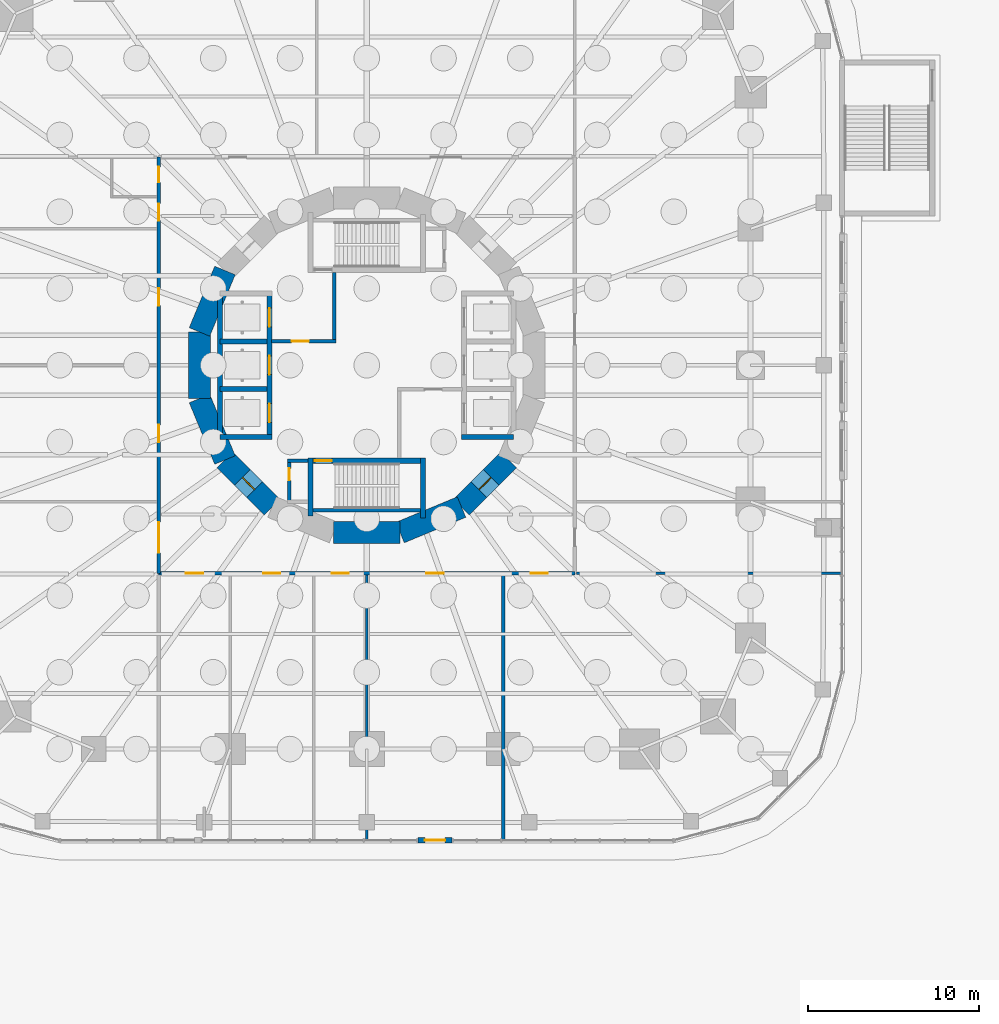
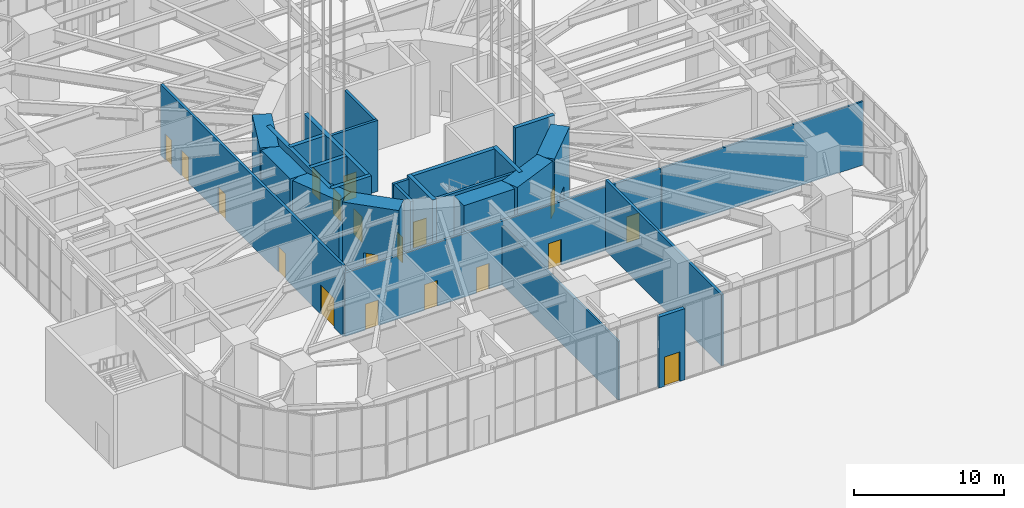
# One storey, part 26 of 43: 27 walls, 19 doors, 19 openings.
"""IFC4 building model written with IfcOpenShell, lengths in metres."""

from ifc_helpers import new_model, si_unit, direction, frame, frame_2d, origin, place, context, subcontext, project, spatial, rectangle, extrude, material, layer, layer_set, type_object, element, fill, save


model = new_model("IFC4")

# Units and contexts
model_context = context("Model", 3, precision=1e-05, world=origin(), true_north=direction((0.0, 1.0)))
body_context = subcontext(model_context, "Body", "Model", "MODEL_VIEW")
ifc_project = project(units=[si_unit("LENGTHUNIT", "METRE"), si_unit("AREAUNIT", "SQUARE_METRE"), si_unit("VOLUMEUNIT", "CUBIC_METRE"), si_unit("PLANEANGLEUNIT", "RADIAN"), si_unit("MASSUNIT", "GRAM", prefix="KILO")], contexts=[model_context])

# Site, building, storey
site_placement = place(None, origin())
site = spatial("IfcSite", under=ifc_project, at=site_placement, CompositionType="ELEMENT")
building_placement = place(site_placement, origin())
building = spatial("IfcBuilding", under=site, at=building_placement, Name="Nakasero Lantern House", CompositionType="ELEMENT")
storey_placement = place(building_placement, origin())
storey = spatial("IfcBuildingStorey", under=building, at=storey_placement, Name="L00", CompositionType="ELEMENT", Elevation=0.0)

# Wall, openings, doors
ifc_material_1 = material(Name="Concrete C50/60", Category="concrete")
ifc_layer_1 = layer(ifc_material_1, 0.300048828125)
ifc_layer_set_1 = layer_set([ifc_layer_1], Name="Core inner wall 300")
wall_type_1 = type_object("IfcWallType", Name="Core inner wall 300", PredefinedType="SHEAR", material=ifc_layer_set_1)
wall_1_placement = place(storey_placement, frame((-5.699951171875, -4.199951171875, -0.25), z_axis=(0.0, 0.0, 1.0), x_axis=(0.0, 1.0, 0.0)))
wall_1 = element("IfcWall", 1, at=wall_1_placement, inside=storey, type_object=wall_type_1, Name="Core inner wall L00 LW", PredefinedType="SHEAR", context=body_context, shape_type="SweptSolid", body=[
    extrude(rectangle(XDim=8.39990234375, YDim=0.300048828125, at=frame_2d((4.199951171875, 0.0))), origin(), (0.0, 0.0, 1.0), 6.25),
])
opening_1_placement = place(wall_1_placement, frame((0.85009765625, 0.0, 0.25)))
opening_1 = element("IfcOpeningElement", 2, at=opening_1_placement, cuts=wall_1, Name="Opening LD", PredefinedType="OPENING", context=body_context, shape_type="SweptSolid", body=[
    extrude(rectangle(XDim=1.10009765625, YDim=2.10009765625, at=frame_2d((0.550048828125, 1.050048828125))), frame((0.0, 0.169921875, 0.0), z_axis=(0.0, -1.0, 0.0), x_axis=(1.0, 0.0, 0.0)), (0.0, 0.0, 1.0), 0.340087890625),
])
opening_2_placement = place(wall_1_placement, frame((3.64990234375, 0.0, 0.25)))
opening_2 = element("IfcOpeningElement", 3, at=opening_2_placement, cuts=wall_1, Name="Opening LD", PredefinedType="OPENING", context=body_context, shape_type="SweptSolid", body=[
    extrude(rectangle(XDim=1.10009765625, YDim=2.10009765625, at=frame_2d((0.550048828125, 1.050048828125))), frame((0.0, 0.169921875, 0.0), z_axis=(0.0, -1.0, 0.0), x_axis=(1.0, 0.0, 0.0)), (0.0, 0.0, 1.0), 0.340087890625),
])
opening_3_placement = place(wall_1_placement, frame((6.449951171875, 0.0, 0.25)))
opening_3 = element("IfcOpeningElement", 4, at=opening_3_placement, cuts=wall_1, Name="Opening LD", PredefinedType="OPENING", context=body_context, shape_type="SweptSolid", body=[
    extrude(rectangle(XDim=1.10009765625, YDim=2.10009765625, at=frame_2d((0.550048828125, 1.050048828125))), frame((0.0, 0.169921875, 0.0), z_axis=(0.0, -1.0, 0.0), x_axis=(1.0, 0.0, 0.0)), (0.0, 0.0, 1.0), 0.340087890625),
])
ifc_material_2 = material(Name="Steel S355", Category="steel")
door_type_1 = type_object("IfcDoorType", Name="Lift landing door E120 1100", OperationType="SLIDING_TO_LEFT", PredefinedType="DOOR", material=ifc_material_2)
door_1_placement = place(opening_1_placement, origin())
door_1 = element("IfcDoor", 5, at=door_1_placement, inside=storey, type_object=door_type_1, Name="Lift landing door LW1", OperationType="SLIDING_TO_LEFT", OverallHeight=2.10009765625, OverallWidth=1.10009765625, PredefinedType="DOOR", context=body_context, shape_type="SweptSolid", body=[
    extrude(rectangle(XDim=1.10009765625, YDim=2.10009765625, at=frame_2d((0.550048828125, 1.050048828125))), frame((0.0, 0.02490234375, 0.0), z_axis=(0.0, -1.0, 0.0), x_axis=(1.0, 0.0, 0.0)), (0.0, 0.0, 1.0), 0.050048828125),
])
fill(opening_1, door_1)
door_2_placement = place(opening_2_placement, origin())
door_2 = element("IfcDoor", 6, at=door_2_placement, inside=storey, type_object=door_type_1, Name="Lift landing door LW2", OperationType="SLIDING_TO_LEFT", OverallHeight=2.10009765625, OverallWidth=1.10009765625, PredefinedType="DOOR", context=body_context, shape_type="SweptSolid", body=[
    extrude(rectangle(XDim=1.10009765625, YDim=2.10009765625, at=frame_2d((0.550048828125, 1.050048828125))), frame((0.0, 0.02490234375, 0.0), z_axis=(0.0, -1.0, 0.0), x_axis=(1.0, 0.0, 0.0)), (0.0, 0.0, 1.0), 0.050048828125),
])
fill(opening_2, door_2)
door_3_placement = place(opening_3_placement, origin())
door_3 = element("IfcDoor", 7, at=door_3_placement, inside=storey, type_object=door_type_1, Name="Lift landing door LW3", OperationType="SLIDING_TO_LEFT", OverallHeight=2.10009765625, OverallWidth=1.10009765625, PredefinedType="DOOR", context=body_context, shape_type="SweptSolid", body=[
    extrude(rectangle(XDim=1.10009765625, YDim=2.10009765625, at=frame_2d((0.550048828125, 1.050048828125))), frame((0.0, 0.02490234375, 0.0), z_axis=(0.0, -1.0, 0.0), x_axis=(1.0, 0.0, 0.0)), (0.0, 0.0, 1.0), 0.050048828125),
])
fill(opening_3, door_3)

# Walls
for number, where, z_axis, x_axis, name in (
    (8, (-8.60009765625, -4.199951171875, -0.25), (0.0, 0.0, 1.0), (1.0, 0.0, 0.0), "Core inner wall L00 LWS"),
    (9, (5.550048828125, -4.199951171875, -0.25), (0.0, 0.0, 1.0), (1.0, 0.0, 0.0), "Core inner wall L00 LES"),
):
    element("IfcWall", number, at=place(storey_placement, frame(where, z_axis=z_axis, x_axis=x_axis)), inside=storey, type_object=wall_type_1, Name=name, PredefinedType="SHEAR", context=body_context, shape_type="SweptSolid", body=[
        extrude(rectangle(XDim=3.050048828125, YDim=0.300048828125, at=frame_2d((1.52490234375, 0.0))), origin(), (0.0, 0.0, 1.0), 6.25),
    ])
wall_2_placement = place(storey_placement, frame((-8.60009765625, -4.199951171875, -0.25), z_axis=(0.0, 0.0, 1.0), x_axis=(0.0, 1.0, 0.0)))
element("IfcWall", 10, at=wall_2_placement, inside=storey, type_object=wall_type_1, Name="Core inner wall L00 LWB", PredefinedType="SHEAR", context=body_context, shape_type="SweptSolid", body=[
    extrude(rectangle(XDim=8.39990234375, YDim=0.300048828125, at=frame_2d((4.199951171875, 0.0))), origin(), (0.0, 0.0, 1.0), 6.25),
])
for number, where, z_axis, x_axis, name in (
    (11, (-8.60009765625, -1.39990234375, -0.25), (0.0, 0.0, 1.0), (1.0, 0.0, 0.0), "Core inner wall L00 LW1"),
    (12, (-8.60009765625, 1.39990234375, -0.25), (0.0, 0.0, 1.0), (1.0, 0.0, 0.0), "Core inner wall L00 LW2"),
):
    element("IfcWall", number, at=place(storey_placement, frame(where, z_axis=z_axis, x_axis=x_axis)), inside=storey, type_object=wall_type_1, Name=name, PredefinedType="SHEAR", context=body_context, shape_type="SweptSolid", body=[
        extrude(rectangle(XDim=2.75, YDim=0.300048828125, at=frame_2d((1.375, 0.0))), origin(), (0.0, 0.0, 1.0), 6.25),
    ])

# Wall, opening, door
wall_3_placement = place(storey_placement, frame((-3.449951171875, -5.60009765625, -0.25), z_axis=(0.0, 0.0, 1.0), x_axis=(1.0, 0.0, 0.0)))
wall_3 = element("IfcWall", 13, at=wall_3_placement, inside=storey, type_object=wall_type_1, Name="Core inner wall L00 SS", PredefinedType="SHEAR", context=body_context, shape_type="SweptSolid", body=[
    extrude(rectangle(XDim=6.89990234375, YDim=0.300048828125, at=frame_2d((3.449951171875, 0.0))), origin(), (0.0, 0.0, 1.0), 6.25),
])
opening_4_placement = place(wall_3_placement, frame((0.39990234375, 0.0, 0.25)))
opening_4 = element("IfcOpeningElement", 14, at=opening_4_placement, cuts=wall_3, Name="Opening D05", PredefinedType="OPENING", context=body_context, shape_type="SweptSolid", body=[
    extrude(rectangle(XDim=1.0, YDim=2.10009765625, at=frame_2d((0.5, 1.050048828125))), frame((0.0, 0.169921875, 0.0), z_axis=(0.0, -1.0, 0.0), x_axis=(1.0, 0.0, 0.0)), (0.0, 0.0, 1.0), 0.340087890625),
])
ifc_material_3 = material(Name="Timber C24", Category="wood")
door_type_2 = type_object("IfcDoorType", Name="Core door FD60S 1000", OperationType="SINGLE_SWING_LEFT", PredefinedType="DOOR", material=ifc_material_3)
door_4_placement = place(opening_4_placement, origin())
door_4 = element("IfcDoor", 15, at=door_4_placement, inside=storey, type_object=door_type_2, Name="Door L00 D-ST2", OperationType="SINGLE_SWING_LEFT", OverallHeight=2.10009765625, OverallWidth=1.0, PredefinedType="DOOR", context=body_context, shape_type="SweptSolid", body=[
    extrude(rectangle(XDim=1.0, YDim=2.10009765625, at=frame_2d((0.5, 1.050048828125))), frame((0.0, 0.02490234375, 0.0), z_axis=(0.0, -1.0, 0.0), x_axis=(1.0, 0.0, 0.0)), (0.0, 0.0, 1.0), 0.050048828125),
])
fill(opening_4, door_4)

# Walls
wall_4_placement = place(storey_placement, frame((-3.300048828125, -5.449951171875, -0.25), z_axis=(0.0, 0.0, 1.0), x_axis=(0.0, -1.0, 0.0)))
element("IfcWall", 16, at=wall_4_placement, inside=storey, type_object=wall_type_1, Name="Core inner wall L00 SSW", PredefinedType="SHEAR", context=body_context, shape_type="SweptSolid", body=[
    extrude(rectangle(XDim=3.400146484375, YDim=0.300048828125, at=frame_2d((1.7001953125, 0.0))), origin(), (0.0, 0.0, 1.0), 6.25),
])
wall_5_placement = place(storey_placement, frame((3.300048828125, -5.449951171875, -0.25), z_axis=(0.0, 0.0, 1.0), x_axis=(0.0, -1.0, 0.0)))
element("IfcWall", 17, at=wall_5_placement, inside=storey, type_object=wall_type_1, Name="Core inner wall L00 SSE", PredefinedType="SHEAR", context=body_context, shape_type="SweptSolid", body=[
    extrude(rectangle(XDim=3.5, YDim=0.300048828125, at=frame_2d((1.75, 0.0))), origin(), (0.0, 0.0, 1.0), 6.25),
])
ifc_material_4 = material(Name="Concrete C50/60", Category="concrete")
ifc_layer_2 = layer(ifc_material_4, 1.300048828125)
ifc_layer_set_2 = layer_set([ifc_layer_2], Name="Core wall 1300")
wall_type_2 = type_object("IfcWallType", Name="Core wall 1300", PredefinedType="SHEAR", material=ifc_layer_set_2)
for number, where, z_axis, x_axis, name in (
    (18, (-8.314697265625, 5.5556640625, -0.25), (0.0, 0.0, 1.0), (-0.382690736062, -0.923876507187, 0.0), "Core wall L00 facet 7"),
    (19, (-9.807861328125, 1.950927734375, -0.25), (0.0, 0.0, 1.0), (0.0, -1.0, 0.0), "Core wall L00 facet 8"),
    (20, (-9.807861328125, -1.950927734375, -0.25), (0.0, 0.0, 1.0), (0.382690736062, -0.923876507187, 0.0), "Core wall L00 facet 9"),
):
    element("IfcWall", number, at=place(storey_placement, frame(where, z_axis=z_axis, x_axis=x_axis)), inside=storey, type_object=wall_type_2, Name=name, PredefinedType="SHEAR", context=body_context, shape_type="SweptSolid", body=[
        extrude(rectangle(XDim=3.90185546875, YDim=1.300048828125, at=frame_2d((1.950927734375, 0.0))), origin(), (0.0, 0.0, 1.0), 6.25),
    ])

# Wall, opening, door
wall_6_placement = place(storey_placement, frame((-8.314697265625, -5.5556640625, -0.25), z_axis=(0.0, 0.0, 1.0), x_axis=(0.707106781187, -0.707106781187, 0.0)))
wall_6 = element("IfcWall", 21, at=wall_6_placement, inside=storey, type_object=wall_type_2, Name="Core wall L00 facet 10", PredefinedType="SHEAR", context=body_context, shape_type="SweptSolid", body=[
    extrude(rectangle(XDim=3.90185546875, YDim=1.300048828125, at=frame_2d((1.950927734375, 0.0))), origin(), (0.0, 0.0, 1.0), 6.25),
])
opening_5_placement = place(wall_6_placement, frame((1.450927734375, 0.0, 0.25)))
opening_5 = element("IfcOpeningElement", 22, at=opening_5_placement, cuts=wall_6, Name="Opening D05", PredefinedType="OPENING", context=body_context, shape_type="SweptSolid", body=[
    extrude(rectangle(XDim=1.0, YDim=2.10009765625, at=frame_2d((0.5, 1.050048828125))), frame((0.0, 0.669921875, 0.0), z_axis=(0.0, -1.0, 0.0), x_axis=(1.0, 0.0, 0.0)), (0.0, 0.0, 1.0), 1.340087890625),
])
door_5_placement = place(opening_5_placement, origin())
door_5 = element("IfcDoor", 23, at=door_5_placement, inside=storey, type_object=door_type_2, Name="Door L00 D-CORE10", OperationType="SINGLE_SWING_LEFT", OverallHeight=2.10009765625, OverallWidth=1.0, PredefinedType="DOOR", context=body_context, shape_type="SweptSolid", body=[
    extrude(rectangle(XDim=1.0, YDim=2.10009765625, at=frame_2d((0.5, 1.050048828125))), frame((0.0, 0.02490234375, 0.0), z_axis=(0.0, -1.0, 0.0), x_axis=(1.0, 0.0, 0.0)), (0.0, 0.0, 1.0), 0.050048828125),
])
fill(opening_5, door_5)

# Walls
for number, where, z_axis, x_axis, name in (
    (24, (-1.950927734375, -9.807861328125, -0.25), (0.0, 0.0, 1.0), (1.0, 0.0, 0.0), "Core wall L00 facet 12"),
    (25, (1.950927734375, -9.807861328125, -0.25), (0.0, 0.0, 1.0), (0.923876507187, 0.382690736062, 0.0), "Core wall L00 facet 13"),
):
    element("IfcWall", number, at=place(storey_placement, frame(where, z_axis=z_axis, x_axis=x_axis)), inside=storey, type_object=wall_type_2, Name=name, PredefinedType="SHEAR", context=body_context, shape_type="SweptSolid", body=[
        extrude(rectangle(XDim=3.90185546875, YDim=1.300048828125, at=frame_2d((1.950927734375, 0.0))), origin(), (0.0, 0.0, 1.0), 6.25),
    ])

# Wall, opening, door
wall_7_placement = place(storey_placement, frame((5.5556640625, -8.314697265625, -0.25), z_axis=(0.0, 0.0, 1.0), x_axis=(0.707106781187, 0.707106781187, 0.0)))
wall_7 = element("IfcWall", 26, at=wall_7_placement, inside=storey, type_object=wall_type_2, Name="Core wall L00 facet 14", PredefinedType="SHEAR", context=body_context, shape_type="SweptSolid", body=[
    extrude(rectangle(XDim=3.90185546875, YDim=1.300048828125, at=frame_2d((1.950927734375, 0.0))), origin(), (0.0, 0.0, 1.0), 6.25),
])
opening_6_placement = place(wall_7_placement, frame((1.450927734375, 0.0, 0.25)))
opening_6 = element("IfcOpeningElement", 27, at=opening_6_placement, cuts=wall_7, Name="Opening D05", PredefinedType="OPENING", context=body_context, shape_type="SweptSolid", body=[
    extrude(rectangle(XDim=1.0, YDim=2.10009765625, at=frame_2d((0.5, 1.050048828125))), frame((0.0, 0.669921875, 0.0), z_axis=(0.0, -1.0, 0.0), x_axis=(1.0, 0.0, 0.0)), (0.0, 0.0, 1.0), 1.340087890625),
])
door_6_placement = place(opening_6_placement, origin())
door_6 = element("IfcDoor", 28, at=door_6_placement, inside=storey, type_object=door_type_2, Name="Door L00 D-CORE14", OperationType="SINGLE_SWING_LEFT", OverallHeight=2.10009765625, OverallWidth=1.0, PredefinedType="DOOR", context=body_context, shape_type="SweptSolid", body=[
    extrude(rectangle(XDim=1.0, YDim=2.10009765625, at=frame_2d((0.5, 1.050048828125))), frame((0.0, 0.02490234375, 0.0), z_axis=(0.0, -1.0, 0.0), x_axis=(1.0, 0.0, 0.0)), (0.0, 0.0, 1.0), 0.050048828125),
])
fill(opening_6, door_6)

# Wall, openings, doors
ifc_material_5 = material(Name="Blockwork", Category="masonry")
ifc_layer_3 = layer(ifc_material_5, 0.199951171875)
ifc_layer_set_3 = layer_set([ifc_layer_3], Name="Corridor wall 200")
wall_type_3 = type_object("IfcWallType", Name="Corridor wall 200", PredefinedType="PARTITIONING", material=ifc_layer_set_3)
wall_8_placement = place(storey_placement, frame((-12.199951171875, 12.199951171875, 0.0), z_axis=(0.0, 0.0, 1.0), x_axis=(0.0, -1.0, 0.0)))
wall_8 = element("IfcWall", 29, at=wall_8_placement, inside=storey, type_object=wall_type_3, Name="Corridor wall L00 CW2", PredefinedType="PARTITIONING", context=body_context, shape_type="SweptSolid", body=[
    extrude(rectangle(XDim=24.39990234375, YDim=0.199951171875, at=frame_2d((12.199951171875, 0.0))), origin(), (0.0, 0.0, 1.0), 5.800048828125),
])
opening_7_placement = place(wall_8_placement, frame((0.574951171875, 0.0, 0.0)))
opening_7 = element("IfcOpeningElement", 30, at=opening_7_placement, cuts=wall_8, Name="Opening D16", PredefinedType="OPENING", context=body_context, shape_type="SweptSolid", body=[
    extrude(rectangle(XDim=0.89990234375, YDim=2.10009765625, at=frame_2d((0.449951171875, 1.050048828125))), frame((0.0, 0.119873046875, 0.0), z_axis=(0.0, -1.0, 0.0), x_axis=(1.0, 0.0, 0.0)), (0.0, 0.0, 1.0), 0.239990234375),
])
opening_8_placement = place(wall_8_placement, frame((2.72509765625, 0.0, 0.0)))
opening_8 = element("IfcOpeningElement", 31, at=opening_8_placement, cuts=wall_8, Name="Opening D07", PredefinedType="OPENING", context=body_context, shape_type="SweptSolid", body=[
    extrude(rectangle(XDim=1.0, YDim=2.10009765625, at=frame_2d((0.5, 1.050048828125))), frame((0.0, 0.119873046875, 0.0), z_axis=(0.0, -1.0, 0.0), x_axis=(1.0, 0.0, 0.0)), (0.0, 0.0, 1.0), 0.239990234375),
])
opening_9_placement = place(wall_8_placement, frame((7.699951171875, 0.0, 0.0)))
opening_9 = element("IfcOpeningElement", 32, at=opening_9_placement, cuts=wall_8, Name="Opening D07", PredefinedType="OPENING", context=body_context, shape_type="SweptSolid", body=[
    extrude(rectangle(XDim=1.0, YDim=2.10009765625, at=frame_2d((0.5, 1.050048828125))), frame((0.0, 0.119873046875, 0.0), z_axis=(0.0, -1.0, 0.0), x_axis=(1.0, 0.0, 0.0)), (0.0, 0.0, 1.0), 0.239990234375),
])
opening_10_placement = place(wall_8_placement, frame((15.699951171875, 0.0, 0.0)))
opening_10 = element("IfcOpeningElement", 33, at=opening_10_placement, cuts=wall_8, Name="Opening D07", PredefinedType="OPENING", context=body_context, shape_type="SweptSolid", body=[
    extrude(rectangle(XDim=1.0, YDim=2.10009765625, at=frame_2d((0.5, 1.050048828125))), frame((0.0, 0.119873046875, 0.0), z_axis=(0.0, -1.0, 0.0), x_axis=(1.0, 0.0, 0.0)), (0.0, 0.0, 1.0), 0.239990234375),
])
opening_11_placement = place(wall_8_placement, frame((21.3984375, 0.0, 0.0)))
opening_11 = element("IfcOpeningElement", 34, at=opening_11_placement, cuts=wall_8, Name="Opening D12", PredefinedType="OPENING", context=body_context, shape_type="SweptSolid", body=[
    extrude(rectangle(XDim=1.800048828125, YDim=2.39990234375, at=frame_2d((0.89990234375, 1.199951171875))), frame((0.0, 0.119873046875, 0.0), z_axis=(0.0, -1.0, 0.0), x_axis=(1.0, 0.0, 0.0)), (0.0, 0.0, 1.0), 0.239990234375),
])
ifc_material_6 = material(Name="Timber C24", Category="wood")
door_type_3 = type_object("IfcDoorType", Name="Accessible WC door 900", OperationType="SINGLE_SWING_RIGHT", PredefinedType="DOOR", material=ifc_material_6)
door_7_placement = place(opening_7_placement, origin())
door_7 = element("IfcDoor", 35, at=door_7_placement, inside=storey, type_object=door_type_3, Name="Door L00 DW2-00", OperationType="SINGLE_SWING_LEFT", OverallHeight=2.10009765625, OverallWidth=0.89990234375, PredefinedType="DOOR", context=body_context, shape_type="SweptSolid", body=[
    extrude(rectangle(XDim=0.89990234375, YDim=2.10009765625, at=frame_2d((0.449951171875, 1.050048828125))), frame((0.0, 0.02490234375, 0.0), z_axis=(0.0, -1.0, 0.0), x_axis=(1.0, 0.0, 0.0)), (0.0, 0.0, 1.0), 0.050048828125),
])
fill(opening_7, door_7)
ifc_material_7 = material(Name="Timber C24", Category="wood")
door_type_4 = type_object("IfcDoorType", Name="Room door FD30S 1000", OperationType="SINGLE_SWING_LEFT", PredefinedType="DOOR", material=ifc_material_7)
door_8_placement = place(opening_8_placement, origin())
door_8 = element("IfcDoor", 36, at=door_8_placement, inside=storey, type_object=door_type_4, Name="Door L00 D2-00", OperationType="SINGLE_SWING_LEFT", OverallHeight=2.10009765625, OverallWidth=1.0, PredefinedType="DOOR", context=body_context, shape_type="SweptSolid", body=[
    extrude(rectangle(XDim=1.0, YDim=2.10009765625, at=frame_2d((0.5, 1.050048828125))), frame((0.0, 0.02490234375, 0.0), z_axis=(0.0, -1.0, 0.0), x_axis=(1.0, 0.0, 0.0)), (0.0, 0.0, 1.0), 0.050048828125),
])
fill(opening_8, door_8)
door_9_placement = place(opening_9_placement, origin())
door_9 = element("IfcDoor", 37, at=door_9_placement, inside=storey, type_object=door_type_4, Name="Door L00 D2-01", OperationType="SINGLE_SWING_LEFT", OverallHeight=2.10009765625, OverallWidth=1.0, PredefinedType="DOOR", context=body_context, shape_type="SweptSolid", body=[
    extrude(rectangle(XDim=1.0, YDim=2.10009765625, at=frame_2d((0.5, 1.050048828125))), frame((0.0, 0.02490234375, 0.0), z_axis=(0.0, -1.0, 0.0), x_axis=(1.0, 0.0, 0.0)), (0.0, 0.0, 1.0), 0.050048828125),
])
fill(opening_9, door_9)
door_10_placement = place(opening_10_placement, origin())
door_10 = element("IfcDoor", 38, at=door_10_placement, inside=storey, type_object=door_type_4, Name="Door L00 D2-02", OperationType="SINGLE_SWING_RIGHT", OverallHeight=2.10009765625, OverallWidth=1.0, PredefinedType="DOOR", context=body_context, shape_type="SweptSolid", body=[
    extrude(rectangle(XDim=1.0, YDim=2.10009765625, at=frame_2d((0.5, 1.050048828125))), frame((0.0, 0.02490234375, 0.0), z_axis=(0.0, -1.0, 0.0), x_axis=(1.0, 0.0, 0.0)), (0.0, 0.0, 1.0), 0.050048828125),
])
fill(opening_10, door_10)
ifc_material_8 = material(Name="Timber C24", Category="wood")
door_type_5 = type_object("IfcDoorType", Name="Room doors FD30S 1800", OperationType="DOUBLE_DOOR_SINGLE_SWING", PredefinedType="DOOR", material=ifc_material_8)
door_11_placement = place(opening_11_placement, origin())
door_11 = element("IfcDoor", 39, at=door_11_placement, inside=storey, type_object=door_type_5, Name="Door L00 D2-03", OperationType="DOUBLE_DOOR_SINGLE_SWING", OverallHeight=2.39990234375, OverallWidth=1.800048828125, PredefinedType="DOOR", context=body_context, shape_type="SweptSolid", body=[
    extrude(rectangle(XDim=1.800048828125, YDim=2.39990234375, at=frame_2d((0.89990234375, 1.199951171875))), frame((0.0, 0.02490234375, 0.0), z_axis=(0.0, -1.0, 0.0), x_axis=(1.0, 0.0, 0.0)), (0.0, 0.0, 1.0), 0.050048828125),
])
fill(opening_11, door_11)

wall_9_placement = place(storey_placement, frame((-12.199951171875, -12.199951171875, 0.0), z_axis=(0.0, 0.0, 1.0), x_axis=(1.0, 0.0, 0.0)))
wall_9 = element("IfcWall", 40, at=wall_9_placement, inside=storey, type_object=wall_type_3, Name="Corridor wall L00 CW3", PredefinedType="PARTITIONING", context=body_context, shape_type="SweptSolid", body=[
    extrude(rectangle(XDim=24.39990234375, YDim=0.199951171875, at=frame_2d((12.199951171875, 0.0))), origin(), (0.0, 0.0, 1.0), 5.187744140625),
])
opening_12_placement = place(wall_9_placement, frame((1.60009765625, 0.0, 0.0)))
opening_12 = element("IfcOpeningElement", 41, at=opening_12_placement, cuts=wall_9, Name="Opening D13", PredefinedType="OPENING", context=body_context, shape_type="SweptSolid", body=[
    extrude(rectangle(XDim=1.0, YDim=2.10009765625, at=frame_2d((0.5, 1.050048828125))), frame((0.0, 0.119873046875, 0.0), z_axis=(0.0, -1.0, 0.0), x_axis=(1.0, 0.0, 0.0)), (0.0, 0.0, 1.0), 0.239990234375),
])
opening_13_placement = place(wall_9_placement, frame((6.139892578125, 0.0, 0.0)))
opening_13 = element("IfcOpeningElement", 42, at=opening_13_placement, cuts=wall_9, Name="Opening D07", PredefinedType="OPENING", context=body_context, shape_type="SweptSolid", body=[
    extrude(rectangle(XDim=1.0, YDim=2.10009765625, at=frame_2d((0.5, 1.050048828125))), frame((0.0, 0.119873046875, 0.0), z_axis=(0.0, -1.0, 0.0), x_axis=(1.0, 0.0, 0.0)), (0.0, 0.0, 1.0), 0.239990234375),
])
opening_14_placement = place(wall_9_placement, frame((10.139892578125, 0.0, 0.0)))
opening_14 = element("IfcOpeningElement", 43, at=opening_14_placement, cuts=wall_9, Name="Opening D07", PredefinedType="OPENING", context=body_context, shape_type="SweptSolid", body=[
    extrude(rectangle(XDim=1.0, YDim=2.10009765625, at=frame_2d((0.5, 1.050048828125))), frame((0.0, 0.119873046875, 0.0), z_axis=(0.0, -1.0, 0.0), x_axis=(1.0, 0.0, 0.0)), (0.0, 0.0, 1.0), 0.239990234375),
])
opening_15_placement = place(wall_9_placement, frame((15.699951171875, 0.0, 0.0)))
opening_15 = element("IfcOpeningElement", 44, at=opening_15_placement, cuts=wall_9, Name="Opening D07", PredefinedType="OPENING", context=body_context, shape_type="SweptSolid", body=[
    extrude(rectangle(XDim=1.0, YDim=2.10009765625, at=frame_2d((0.5, 1.050048828125))), frame((0.0, 0.119873046875, 0.0), z_axis=(0.0, -1.0, 0.0), x_axis=(1.0, 0.0, 0.0)), (0.0, 0.0, 1.0), 0.239990234375),
])
opening_16_placement = place(wall_9_placement, frame((21.79833984375, 0.0, 0.0)))
opening_16 = element("IfcOpeningElement", 45, at=opening_16_placement, cuts=wall_9, Name="Opening D13", PredefinedType="OPENING", context=body_context, shape_type="SweptSolid", body=[
    extrude(rectangle(XDim=1.0, YDim=2.10009765625, at=frame_2d((0.5, 1.050048828125))), frame((0.0, 0.119873046875, 0.0), z_axis=(0.0, -1.0, 0.0), x_axis=(1.0, 0.0, 0.0)), (0.0, 0.0, 1.0), 0.239990234375),
])
ifc_material_9 = material(Name="Steel S355", Category="steel")
door_type_6 = type_object("IfcDoorType", Name="Plant room door FD60 1000", OperationType="SINGLE_SWING_LEFT", PredefinedType="DOOR", material=ifc_material_9)
door_12_placement = place(opening_12_placement, origin())
door_12 = element("IfcDoor", 46, at=door_12_placement, inside=storey, type_object=door_type_6, Name="Door L00 D3-00", OperationType="SINGLE_SWING_LEFT", OverallHeight=2.10009765625, OverallWidth=1.0, PredefinedType="DOOR", context=body_context, shape_type="SweptSolid", body=[
    extrude(rectangle(XDim=1.0, YDim=2.10009765625, at=frame_2d((0.5, 1.050048828125))), frame((0.0, 0.02490234375, 0.0), z_axis=(0.0, -1.0, 0.0), x_axis=(1.0, 0.0, 0.0)), (0.0, 0.0, 1.0), 0.050048828125),
])
fill(opening_12, door_12)
door_13_placement = place(opening_16_placement, origin())
door_13 = element("IfcDoor", 47, at=door_13_placement, inside=storey, type_object=door_type_6, Name="Door L00 D3-04", OperationType="SINGLE_SWING_RIGHT", OverallHeight=2.10009765625, OverallWidth=1.0, PredefinedType="DOOR", context=body_context, shape_type="SweptSolid", body=[
    extrude(rectangle(XDim=1.0, YDim=2.10009765625, at=frame_2d((0.5, 1.050048828125))), frame((0.0, 0.02490234375, 0.0), z_axis=(0.0, -1.0, 0.0), x_axis=(1.0, 0.0, 0.0)), (0.0, 0.0, 1.0), 0.050048828125),
])
fill(opening_16, door_13)
door_14_placement = place(opening_13_placement, origin())
door_14 = element("IfcDoor", 48, at=door_14_placement, inside=storey, type_object=door_type_4, Name="Door L00 D3-01", OperationType="SINGLE_SWING_LEFT", OverallHeight=2.10009765625, OverallWidth=1.0, PredefinedType="DOOR", context=body_context, shape_type="SweptSolid", body=[
    extrude(rectangle(XDim=1.0, YDim=2.10009765625, at=frame_2d((0.5, 1.050048828125))), frame((0.0, 0.02490234375, 0.0), z_axis=(0.0, -1.0, 0.0), x_axis=(1.0, 0.0, 0.0)), (0.0, 0.0, 1.0), 0.050048828125),
])
fill(opening_13, door_14)
door_15_placement = place(opening_14_placement, origin())
door_15 = element("IfcDoor", 49, at=door_15_placement, inside=storey, type_object=door_type_4, Name="Door L00 D3-02", OperationType="SINGLE_SWING_LEFT", OverallHeight=2.10009765625, OverallWidth=1.0, PredefinedType="DOOR", context=body_context, shape_type="SweptSolid", body=[
    extrude(rectangle(XDim=1.0, YDim=2.10009765625, at=frame_2d((0.5, 1.050048828125))), frame((0.0, 0.02490234375, 0.0), z_axis=(0.0, -1.0, 0.0), x_axis=(1.0, 0.0, 0.0)), (0.0, 0.0, 1.0), 0.050048828125),
])
fill(opening_14, door_15)
door_16_placement = place(opening_15_placement, origin())
door_16 = element("IfcDoor", 50, at=door_16_placement, inside=storey, type_object=door_type_4, Name="Door L00 D3-03", OperationType="SINGLE_SWING_RIGHT", OverallHeight=2.10009765625, OverallWidth=1.0, PredefinedType="DOOR", context=body_context, shape_type="SweptSolid", body=[
    extrude(rectangle(XDim=1.0, YDim=2.10009765625, at=frame_2d((0.5, 1.050048828125))), frame((0.0, 0.02490234375, 0.0), z_axis=(0.0, -1.0, 0.0), x_axis=(1.0, 0.0, 0.0)), (0.0, 0.0, 1.0), 0.050048828125),
])
fill(opening_15, door_16)

# Wall, opening, door
ifc_material_10 = material(Name="Concrete C40/50", Category="concrete")
ifc_layer_4 = layer(ifc_material_10, 0.300048828125)
ifc_layer_set_4 = layer_set([ifc_layer_4], Name="Entrance portal wall 300")
wall_type_4 = type_object("IfcWallType", Name="Entrance portal wall 300", PredefinedType="SOLIDWALL", material=ifc_layer_set_4)
wall_10_placement = place(storey_placement, frame((3.0, -27.85009765625, 0.0), z_axis=(0.0, 0.0, 1.0), x_axis=(1.0, 0.0, 0.0)))
wall_10 = element("IfcWall", 51, at=wall_10_placement, inside=storey, type_object=wall_type_4, Name="Entrance portal L00 2", PredefinedType="SOLIDWALL", context=body_context, shape_type="SweptSolid", body=[
    extrude(rectangle(XDim=2.0, YDim=0.300048828125, at=frame_2d((1.0, 0.0))), origin(), (0.0, 0.0, 1.0), 5.800048828125),
])
opening_17_placement = place(wall_10_placement, frame((0.39990234375, 0.0, 0.0)))
opening_17 = element("IfcOpeningElement", 52, at=opening_17_placement, cuts=wall_10, Name="Opening D09", PredefinedType="OPENING", context=body_context, shape_type="SweptSolid", body=[
    extrude(rectangle(XDim=1.199951171875, YDim=2.39990234375, at=frame_2d((0.60009765625, 1.199951171875))), frame((0.0, 0.169921875, 0.0), z_axis=(0.0, -1.0, 0.0), x_axis=(1.0, 0.0, 0.0)), (0.0, 0.0, 1.0), 0.340087890625),
])
ifc_material_11 = material(Name="Steel S355", Category="steel")
door_type_7 = type_object("IfcDoorType", Name="Service door 1200x2400", OperationType="SINGLE_SWING_LEFT", PredefinedType="DOOR", material=ifc_material_11)
door_17_placement = place(opening_17_placement, origin())
door_17 = element("IfcDoor", 53, at=door_17_placement, inside=storey, type_object=door_type_7, Name="External door L00 3-1", OperationType="SINGLE_SWING_LEFT", OverallHeight=2.39990234375, OverallWidth=1.199951171875, PredefinedType="DOOR", context=body_context, shape_type="SweptSolid", body=[
    extrude(rectangle(XDim=1.199951171875, YDim=2.39990234375, at=frame_2d((0.60009765625, 1.199951171875))), frame((0.0, 0.02490234375, 0.0), z_axis=(0.0, -1.0, 0.0), x_axis=(1.0, 0.0, 0.0)), (0.0, 0.0, 1.0), 0.050048828125),
])
fill(opening_17, door_17)

ifc_material_12 = material(Name="Blockwork", Category="masonry")
ifc_layer_5 = layer(ifc_material_12, 0.199951171875)
ifc_layer_set_5 = layer_set([ifc_layer_5], Name="Fire lobby wall 200")
wall_type_5 = type_object("IfcWallType", Name="Fire lobby wall 200", PredefinedType="PARTITIONING", material=ifc_layer_set_5)
wall_11_placement = place(storey_placement, frame((-5.60009765625, 1.39990234375, 0.0), z_axis=(0.0, 0.0, 1.0), x_axis=(1.0, 0.0, 0.0)))
wall_11 = element("IfcWall", 54, at=wall_11_placement, inside=storey, type_object=wall_type_5, Name="Fire lobby wall L00 W-FL1S", PredefinedType="PARTITIONING", context=body_context, shape_type="SweptSolid", body=[
    extrude(rectangle(XDim=3.800048828125, YDim=0.199951171875, at=frame_2d((1.89990234375, 0.0))), origin(), (0.0, 0.0, 1.0), 5.800048828125),
])
opening_18_placement = place(wall_11_placement, frame((1.199951171875, 0.0, 0.0)))
opening_18 = element("IfcOpeningElement", 55, at=opening_18_placement, cuts=wall_11, Name="Opening D05", PredefinedType="OPENING", context=body_context, shape_type="SweptSolid", body=[
    extrude(rectangle(XDim=1.0, YDim=2.10009765625, at=frame_2d((0.5, 1.050048828125))), frame((0.0, 0.119873046875, 0.0), z_axis=(0.0, -1.0, 0.0), x_axis=(1.0, 0.0, 0.0)), (0.0, 0.0, 1.0), 0.239990234375),
])
door_18_placement = place(opening_18_placement, origin())
door_18 = element("IfcDoor", 56, at=door_18_placement, inside=storey, type_object=door_type_2, Name="Door L00 D-FL1", OperationType="SINGLE_SWING_LEFT", OverallHeight=2.10009765625, OverallWidth=1.0, PredefinedType="DOOR", context=body_context, shape_type="SweptSolid", body=[
    extrude(rectangle(XDim=1.0, YDim=2.10009765625, at=frame_2d((0.5, 1.050048828125))), frame((0.0, 0.02490234375, 0.0), z_axis=(0.0, -1.0, 0.0), x_axis=(1.0, 0.0, 0.0)), (0.0, 0.0, 1.0), 0.050048828125),
])
fill(opening_18, door_18)

# Wall
wall_12_placement = place(storey_placement, frame((-1.89990234375, 1.5, 0.0), z_axis=(0.0, 0.0, 1.0), x_axis=(0.0, 1.0, 0.0)))
element("IfcWall", 57, at=wall_12_placement, inside=storey, type_object=wall_type_5, Name="Fire lobby wall L00 W-FL1E", PredefinedType="PARTITIONING", context=body_context, shape_type="SweptSolid", body=[
    extrude(rectangle(XDim=3.949951171875, YDim=0.199951171875, at=frame_2d((1.97509765625, 0.0))), origin(), (0.0, 0.0, 1.0), 5.800048828125),
])

# Wall, opening, door
wall_13_placement = place(storey_placement, frame((-4.550048828125, -5.60009765625, 0.0), z_axis=(0.0, 0.0, 1.0), x_axis=(0.0, -1.0, 0.0)))
wall_13 = element("IfcWall", 58, at=wall_13_placement, inside=storey, type_object=wall_type_5, Name="Fire lobby wall L00 W-RS2W", PredefinedType="PARTITIONING", context=body_context, shape_type="SweptSolid", body=[
    extrude(rectangle(XDim=2.39990234375, YDim=0.199951171875, at=frame_2d((1.199951171875, 0.0))), origin(), (0.0, 0.0, 1.0), 5.800048828125),
])
opening_19_placement = place(wall_13_placement, frame((0.449951171875, 0.0, 0.0)))
opening_19 = element("IfcOpeningElement", 59, at=opening_19_placement, cuts=wall_13, Name="Opening D06", PredefinedType="OPENING", context=body_context, shape_type="SweptSolid", body=[
    extrude(rectangle(XDim=0.699951171875, YDim=2.10009765625, at=frame_2d((0.35009765625, 1.050048828125))), frame((0.0, 0.119873046875, 0.0), z_axis=(0.0, -1.0, 0.0), x_axis=(1.0, 0.0, 0.0)), (0.0, 0.0, 1.0), 0.239990234375),
])
ifc_material_13 = material(Name="Steel S355", Category="steel")
door_type_8 = type_object("IfcDoorType", Name="Riser door FD60 700", OperationType="SINGLE_SWING_LEFT", PredefinedType="DOOR", material=ifc_material_13)
door_19_placement = place(opening_19_placement, origin())
door_19 = element("IfcDoor", 60, at=door_19_placement, inside=storey, type_object=door_type_8, Name="Door L00 D-RS2", OperationType="SINGLE_SWING_LEFT", OverallHeight=2.10009765625, OverallWidth=0.699951171875, PredefinedType="DOOR", context=body_context, shape_type="SweptSolid", body=[
    extrude(rectangle(XDim=0.699951171875, YDim=2.10009765625, at=frame_2d((0.35009765625, 1.050048828125))), frame((0.0, 0.02490234375, 0.0), z_axis=(0.0, -1.0, 0.0), x_axis=(1.0, 0.0, 0.0)), (0.0, 0.0, 1.0), 0.050048828125),
])
fill(opening_19, door_19)

# Walls
wall_14_placement = place(storey_placement, frame((-3.449951171875, -5.60009765625, 0.0), z_axis=(0.0, 0.0, 1.0), x_axis=(-1.0, 0.0, 0.0)))
element("IfcWall", 61, at=wall_14_placement, inside=storey, type_object=wall_type_5, Name="Fire lobby wall L00 W-RS2N", PredefinedType="PARTITIONING", context=body_context, shape_type="SweptSolid", body=[
    extrude(rectangle(XDim=1.199951171875, YDim=0.199951171875, at=frame_2d((0.60009765625, 0.0))), origin(), (0.0, 0.0, 1.0), 5.800048828125),
])
wall_15_placement = place(storey_placement, frame((-3.300048828125, -8.5, 0.0), z_axis=(0.0, 0.0, 1.0), x_axis=(1.0, 0.0, 0.0)))
element("IfcWall", 62, at=wall_15_placement, inside=storey, type_object=wall_type_5, Name="Fire lobby wall L00 W-STS", PredefinedType="PARTITIONING", context=body_context, shape_type="SweptSolid", body=[
    extrude(rectangle(XDim=6.60009765625, YDim=0.199951171875, at=frame_2d((3.300048828125, 0.0))), origin(), (0.0, 0.0, 1.0), 5.800048828125),
])
wall_16_placement = place(storey_placement, frame((8.0, -12.300048828125, 0.0), z_axis=(0.0, 0.0, 1.0), x_axis=(0.0, -1.0, 0.0)))
element("IfcWall", 63, at=wall_16_placement, inside=storey, type_object=wall_type_5, Name="Fire lobby wall L00 PW3-04", PredefinedType="PARTITIONING", context=body_context, shape_type="SweptSolid", body=[
    extrude(rectangle(XDim=15.550048828125, YDim=0.199951171875, at=frame_2d((7.77490234375, 0.0))), origin(), (0.0, 0.0, 1.0), 5.800048828125),
])
ifc_material_14 = material(Name="Blockwork", Category="masonry")
ifc_layer_6 = layer(ifc_material_14, 0.14990234375)
ifc_layer_set_6 = layer_set([ifc_layer_6], Name="Party wall 150")
wall_type_6 = type_object("IfcWallType", Name="Party wall 150", PredefinedType="PARTITIONING", material=ifc_layer_set_6)
wall_17_placement = place(storey_placement, frame((12.300048828125, -12.199951171875, 0.0), z_axis=(0.0, 0.0, 1.0), x_axis=(1.0, 0.0, 0.0)))
element("IfcWall", 64, at=wall_17_placement, inside=storey, type_object=wall_type_6, Name="Party wall L00 PW0-00", PredefinedType="PARTITIONING", context=body_context, shape_type="SweptSolid", body=[
    extrude(rectangle(XDim=15.550048828125, YDim=0.14990234375, at=frame_2d((7.77490234375, 0.0))), origin(), (0.0, 0.0, 1.0), 5.187744140625),
])
wall_18_placement = place(storey_placement, frame((0.0, -12.300048828125, 0.0), z_axis=(0.0, 0.0, 1.0), x_axis=(0.0, -1.0, 0.0)))
element("IfcWall", 65, at=wall_18_placement, inside=storey, type_object=wall_type_6, Name="Party wall L00 PW3-03", PredefinedType="PARTITIONING", context=body_context, shape_type="SweptSolid", body=[
    extrude(rectangle(XDim=15.550048828125, YDim=0.14990234375, at=frame_2d((7.77490234375, 0.0))), origin(), (0.0, 0.0, 1.0), 4.800048828125),
])

save(model, "model.ifc")
